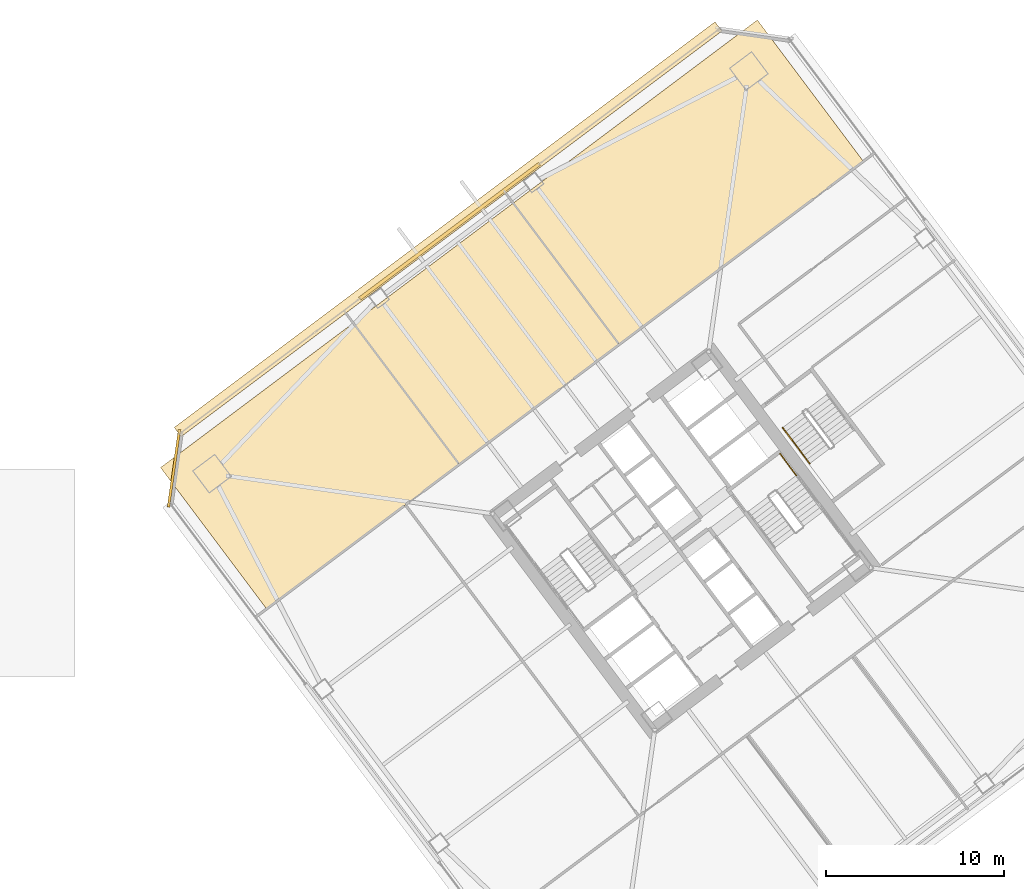
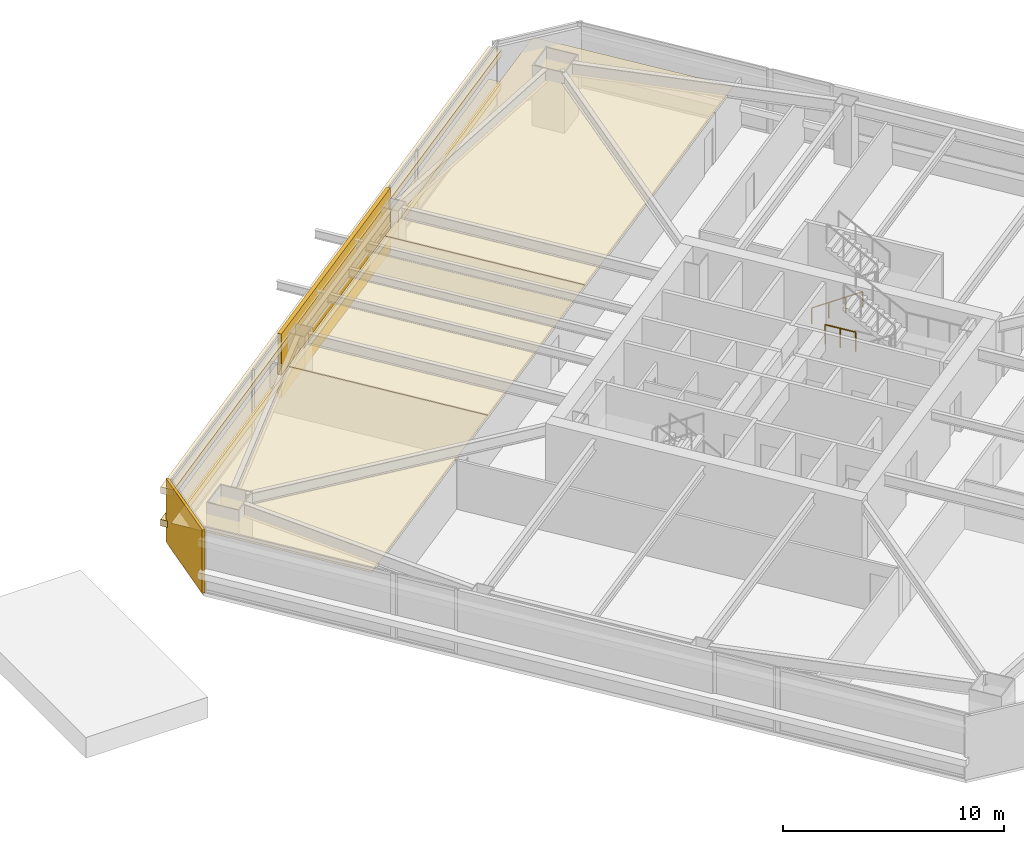
# One storey, part 45 of 46: 7 coverings, 2 railings.
"""IFC4 building model written with IfcOpenShell, lengths in metres."""

from ifc_helpers import new_model, si_unit, direction, frame, origin, origin_2d, place, context, subcontext, project, spatial, polyline, rectangle, outline, extrude, material, layer, layer_set, type_object, element, save


model = new_model("IFC4")

# Units and contexts
model_context = context("Model", 3, precision=1e-05, world=origin(), true_north=direction((0.0, 1.0)))
body_context = subcontext(model_context, "Body", "Model", "MODEL_VIEW")
ifc_project = project(units=[si_unit("LENGTHUNIT", "METRE"), si_unit("AREAUNIT", "SQUARE_METRE"), si_unit("VOLUMEUNIT", "CUBIC_METRE"), si_unit("PLANEANGLEUNIT", "RADIAN"), si_unit("MASSUNIT", "GRAM", prefix="KILO")], contexts=[model_context])

# Site, building, storey
site_placement = place(None, origin())
site = spatial("IfcSite", under=ifc_project, at=site_placement, CompositionType="ELEMENT")
building_placement = place(site_placement, origin())
building = spatial("IfcBuilding", under=site, at=building_placement, Name="Tashvorn Skyway Center", CompositionType="ELEMENT")
storey_placement = place(building_placement, frame((0.0, 0.0, 31.699951171875)))
storey = spatial("IfcBuildingStorey", under=building, at=storey_placement, Name="L07", CompositionType="ELEMENT", Elevation=31.699951171875)

# Coverings
ifc_material_1 = material(Name="Precast concrete C40/50", Category="concrete")
ifc_layer_1 = layer(ifc_material_1, 0.199951171875)
ifc_layer_set_1 = layer_set([ifc_layer_1], Name="Precast concrete C40/50")
covering_type_1 = type_object("IfcCoveringType", Name="COV-BRACE-CLAD", PredefinedType="CLADDING", material=ifc_layer_set_1)
covering_1_placement = place(storey_placement, frame((100.991943359375, 49.343994140625, 0.0), z_axis=(0.0, 0.0, 1.0), x_axis=(0.799999996291, 0.600000004945, 0.0)))
element("IfcCovering", 1, at=covering_1_placement, inside=storey, type_object=covering_type_1, Name="Tower 2 L07 North Unitised Curtain Wall Mega-Brace Cladding Band 1", PredefinedType="CLADDING", context=body_context, shape_type="SweptSolid", body=[
    extrude(rectangle(XDim=12.586669921875, YDim=0.199951171875, at=origin_2d()), origin(), (0.0, 0.0, 1.0), 3.550048828125),
])
ifc_material_2 = material(Name="Mineral-fibre acoustic ceiling tile on suspended grid")
ifc_layer_2 = layer(ifc_material_2, 0.02001953125)
ifc_layer_set_2 = layer_set([ifc_layer_2], Name="Mineral-fibre acoustic ceiling tile on suspended grid")
covering_type_2 = type_object("IfcCoveringType", Name="COV-CEIL-20", PredefinedType="CEILING", material=ifc_layer_set_2)
covering_2_placement = place(storey_placement, frame((0.0, 0.0, 2.68310546875)))
element("IfcCovering", 2, at=covering_2_placement, inside=storey, type_object=covering_type_2, Name="Tower 2 L07 Open Plan Office Acoustic Ceiling", PredefinedType="CEILING", context=body_context, shape_type="SweptSolid", body=[
    extrude(outline(polyline([(90.739990234375, 28.179931640625), (101.5400390625, 36.280029296875), (95.60009765625, 44.199951171875), (84.800048828125, 36.10009765625), (90.739990234375, 28.179931640625)])), origin(), (0.0, 0.0, 1.0), 0.02001953125),
])
covering_3_placement = place(storey_placement, frame((0.0, 0.0, 2.68310546875)))
element("IfcCovering", 3, at=covering_3_placement, inside=storey, type_object=covering_type_2, Name="Tower 2 L07 Open Plan Office Acoustic Ceiling", PredefinedType="CEILING", context=body_context, shape_type="SweptSolid", body=[
    extrude(outline(polyline([(101.5400390625, 36.280029296875), (110.5, 43.0), (104.56005859375, 50.919921875), (95.60009765625, 44.199951171875), (101.5400390625, 36.280029296875)])), origin(), (0.0, 0.0, 1.0), 0.02001953125),
])
covering_4_placement = place(storey_placement, frame((0.0, 0.0, 2.68310546875)))
element("IfcCovering", 4, at=covering_4_placement, inside=storey, type_object=covering_type_2, Name="Tower 2 L07 Catering Pantry Acoustic Ceiling", PredefinedType="CEILING", context=body_context, shape_type="SweptSolid", body=[
    extrude(outline(polyline([(110.5, 43.0), (124.179931640625, 53.260009765625), (118.239990234375, 61.179931640625), (104.56005859375, 50.919921875), (110.5, 43.0)])), origin(), (0.0, 0.0, 1.0), 0.02001953125),
])
ifc_material_3 = material(Name="Perforated ceramic-coated bronze aluminium solar screen", Category="aluminium")
ifc_layer_3 = layer(ifc_material_3, 0.85009765625)
ifc_layer_set_3 = layer_set([ifc_layer_3], Name="Perforated ceramic-coated bronze aluminium solar screen")
covering_type_3 = type_object("IfcCoveringType", Name="COV-SOLAR-BAND", PredefinedType="CLADDING", material=ifc_layer_set_3)
for number, where, z_axis, x_axis, name in (
    (5, (100.907958984375, 49.4560546875, 0.919921875), (0.0, 0.0, 1.0), (0.799999996291, 0.600000004945, 0.0), "L07 Perforated Ceramic-Metal Solar Screen Louvre Band North 1"),
    (6, (100.907958984375, 49.4560546875, 2.72021484375), (0.0, 0.0, 1.0), (0.799999996291, 0.600000004945, 0.0), "L07 Perforated Ceramic-Metal Solar Screen Louvre Band North 2"),
):
    element("IfcCovering", number, at=place(storey_placement, frame(where, z_axis=z_axis, x_axis=x_axis)), inside=storey, type_object=covering_type_3, Name=name, PredefinedType="CLADDING", context=body_context, shape_type="SweptSolid", body=[
        extrude(rectangle(XDim=37.8798828125, YDim=0.639892578125, at=origin_2d()), origin(), (0.0, 0.0, 1.0), 0.360107421875),
    ])
ifc_layer_4 = layer(ifc_material_1, 0.35009765625)
ifc_layer_set_4 = layer_set([ifc_layer_4], Name="Precast concrete C40/50")
covering_type_4 = type_object("IfcCoveringType", Name="COV-STONE-TRIM", PredefinedType="CLADDING", material=ifc_layer_set_4)
covering_5_placement = place(storey_placement, frame((85.552001953125, 36.06396484375, 0.02001953125), z_axis=(0.0, 0.0, 1.0), x_axis=(-0.141421350118, -0.989949494535, 0.0)))
element("IfcCovering", 7, at=covering_5_placement, inside=storey, type_object=covering_type_4, Name="Tower 2 L07 NW Mojave Limestone Corner Quoin", PredefinedType="CLADDING", context=body_context, shape_type="SweptSolid", body=[
    extrude(rectangle(XDim=4.402587890625, YDim=0.139892578125, at=origin_2d()), origin(), (0.0, 0.0, 1.0), 3.510009765625),
])

# Railings
ifc_material_4 = material(Name="Brushed stainless steel 316", Category="steel")
railing_type_1 = type_object("IfcRailingType", Name="RAIL-HAND-920", PredefinedType="HANDRAIL", material=ifc_material_4)
railing_1_placement = place(storey_placement, frame((119.656005859375, 38.342041015625, 0.177490234375)))
element("IfcRailing", 8, at=railing_1_placement, inside=storey, type_object=railing_type_1, Name="L07 ST-T2-3 stair handrail 1", PredefinedType="HANDRAIL", context=body_context, shape_type="SweptSolid", body=[
    extrude(rectangle(XDim=0.048095703125, YDim=0.048095703125, at=origin_2d()), frame((0.0, 0.0, 0.8759765625), z_axis=(0.506718600913, -0.675679348675, 0.535437836974), x_axis=(0.800023250257, 0.599968998406, 0.0)), (0.0, 0.0, 1.0), 2.98388671875),
    extrude(rectangle(XDim=0.0419921875, YDim=0.0419921875, at=origin_2d()), origin(), (0.0, 0.0, 1.0), 0.851806640625),
    extrude(rectangle(XDim=0.0419921875, YDim=0.0419921875, at=origin_2d()), frame((0.50390625, -0.672119140625, 0.532470703125)), (0.0, 0.0, 1.0), 0.851806640625),
    extrude(rectangle(XDim=0.0419921875, YDim=0.0419921875, at=origin_2d()), frame((1.008056640625, -1.343994140625, 1.065185546875)), (0.0, 0.0, 1.0), 0.851806640625),
    extrude(rectangle(XDim=0.0419921875, YDim=0.0419921875, at=origin_2d()), frame((1.511962890625, -2.01611328125, 1.59765625)), (0.0, 0.0, 1.0), 0.851806640625),
])
ifc_material_5 = material(Name="Painted galvanized steel S355", Category="steel")
railing_type_2 = type_object("IfcRailingType", Name="RAIL-STGUARD-1100", PredefinedType="GUARDRAIL", material=ifc_material_5)
railing_2_placement = place(storey_placement, frame((119.50390625, 36.8779296875, 0.0)))
element("IfcRailing", 9, at=railing_2_placement, inside=storey, type_object=railing_type_2, Name="L07 ST-T2-2 stair guard 6", PredefinedType="GUARDRAIL", context=body_context, shape_type="SweptSolid", body=[
    extrude(rectangle(XDim=0.048095703125, YDim=0.048095703125, at=origin_2d()), frame((0.0, 0.0, 1.076171875), z_axis=(0.600102796382, -0.799922892393, 0.0), x_axis=(0.799922892393, 0.600102796382, 0.0)), (0.0, 0.0, 1.0), 1.52001953125),
    extrude(rectangle(XDim=0.0419921875, YDim=0.0419921875, at=origin_2d()), origin(), (0.0, 0.0, 1.0), 1.052001953125),
    extrude(rectangle(XDim=0.0419921875, YDim=0.0419921875, at=origin_2d()), frame((0.4560546875, -0.60791015625, 0.0)), (0.0, 0.0, 1.0), 1.052001953125),
    extrude(rectangle(XDim=0.0419921875, YDim=0.0419921875, at=origin_2d()), frame((0.912109375, -1.2158203125, 0.0)), (0.0, 0.0, 1.0), 1.052001953125),
])

save(model, "model.ifc")
